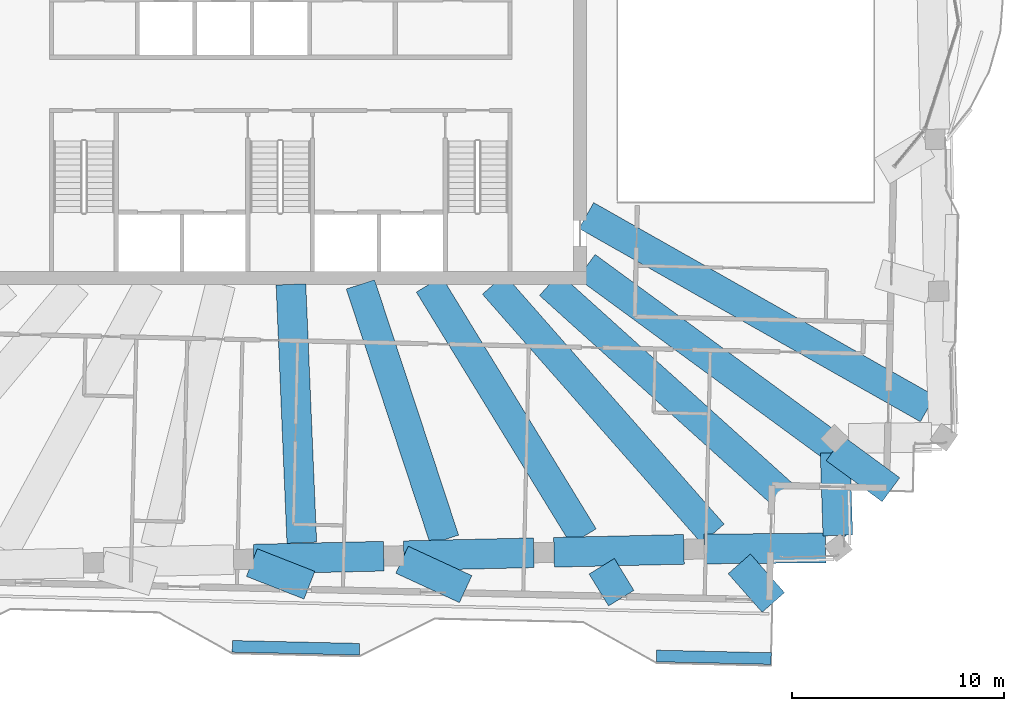
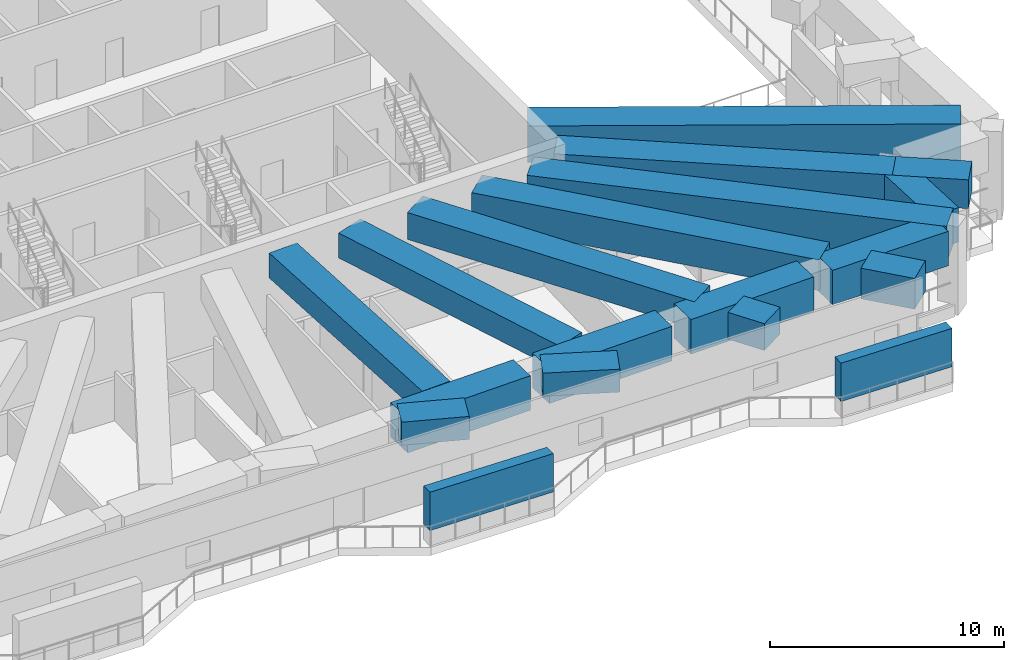
# One storey, part 3 of 20: 17 beams, 2 members.
"""IFC4 building model written with IfcOpenShell, lengths in metres."""

from ifc_helpers import new_model, si_unit, direction, frame, origin, origin_2d, place, context, subcontext, project, spatial, rectangle, extrude, material, material_profile, profile_set, type_object, element, save


model = new_model("IFC4")

# Units and contexts
model_context = context("Model", 3, precision=1e-05, world=origin(), true_north=direction((0.0, 1.0)))
body_context = subcontext(model_context, "Body", "Model", "MODEL_VIEW")
ifc_project = project(units=[si_unit("LENGTHUNIT", "METRE"), si_unit("AREAUNIT", "SQUARE_METRE"), si_unit("VOLUMEUNIT", "CUBIC_METRE"), si_unit("PLANEANGLEUNIT", "RADIAN"), si_unit("MASSUNIT", "GRAM", prefix="KILO")], contexts=[model_context])

# Site, building, storey
site_placement = place(None, origin())
site = spatial("IfcSite", under=ifc_project, at=site_placement, CompositionType="ELEMENT")
building_placement = place(site_placement, origin())
building = spatial("IfcBuilding", under=site, at=building_placement, Name="Mangrove Gate Tower", CompositionType="ELEMENT")
storey_placement = place(building_placement, frame((0.0, 0.0, 301.5)))
storey = spatial("IfcBuildingStorey", under=building, at=storey_placement, Name="L77", CompositionType="ELEMENT", Elevation=301.5)

# Members
ifc_material_1 = material(Name="Planting on aluminium trellis", Category="aluminium")
ifc_material_profile_1 = material_profile(ifc_material_1, rectangle(XDim=0.550048828125, YDim=2.0, at=origin_2d()))
ifc_profile_set_1 = profile_set([ifc_material_profile_1], Name="Planting on aluminium trellis")
member_type = type_object("IfcMemberType", Name="Balcony greenery screen 550x2000", PredefinedType="USERDEFINED", material=ifc_profile_set_1)
member_1_placement = place(storey_placement, frame((-2.282958984375, -28.45703125, 1.800048828125), z_axis=(0.999743094499, -0.022665943652, 0.0), x_axis=(0.022665943652, 0.999743094499, 0.0)))
element("IfcMember", 1, at=member_1_placement, inside=storey, type_object=member_type, Name="GREEN SCREEN L77 S1.1", ObjectType="PLANTING", PredefinedType="USERDEFINED", context=body_context, shape_type="SweptSolid", body=[
    extrude(rectangle(XDim=0.550048828125, YDim=2.0, at=origin_2d()), origin(), (0.0, 0.0, 1.0), 5.99951171875),
])
member_2_placement = place(storey_placement, frame((17.7109375, -28.910888671875, 1.800048828125), z_axis=(0.999744512495, -0.022603312514, 0.0), x_axis=(0.022603312514, 0.999744512495, 0.0)))
element("IfcMember", 2, at=member_2_placement, inside=storey, type_object=member_type, Name="GREEN SCREEN L77 S1.2", ObjectType="PLANTING", PredefinedType="USERDEFINED", context=body_context, shape_type="SweptSolid", body=[
    extrude(rectangle(XDim=0.550048828125, YDim=2.0, at=origin_2d()), origin(), (0.0, 0.0, 1.0), 5.400634765625),
])

# Beams
ifc_material_2 = material(Name="Concrete C50/60", Category="concrete")
ifc_material_profile_2 = material_profile(ifc_material_2, rectangle(XDim=1.39990234375, YDim=1.199951171875, at=origin_2d()))
ifc_profile_set_2 = profile_set([ifc_material_profile_2], Name="Concrete C50/60")
beam_type_1 = type_object("IfcBeamType", Name="Transfer girder RC 1400x1200 C50/60", PredefinedType="BEAM", material=ifc_profile_set_2)
beam_1_placement = place(storey_placement, frame((-1.362548828125, -24.510009765625, 3.449951171875), z_axis=(0.930621137246, -0.365984014558, 0.0), x_axis=(0.365984014558, 0.930621137246, 0.0)))
element("IfcBeam", 3, at=beam_1_placement, inside=storey, type_object=beam_type_1, Name="Transfer edge girder L77 09", PredefinedType="BEAM", context=body_context, shape_type="SweptSolid", body=[
    extrude(rectangle(XDim=1.39990234375, YDim=1.199951171875, at=origin_2d()), origin(), (0.0, 0.0, 1.0), 2.9150390625),
])
beam_2_placement = place(storey_placement, frame((5.714599609375, -24.376953125, 3.449951171875), z_axis=(0.907950728226, -0.419076932214, 0.0), x_axis=(0.419076932214, 0.907950728226, 0.0)))
element("IfcBeam", 4, at=beam_2_placement, inside=storey, type_object=beam_type_1, Name="Transfer edge girder L77 10", PredefinedType="BEAM", context=body_context, shape_type="SweptSolid", body=[
    extrude(rectangle(XDim=1.39990234375, YDim=1.199951171875, at=origin_2d()), origin(), (0.0, 0.0, 1.0), 3.302001953125),
])
ifc_material_3 = material(Name="Concrete C50/60", Category="concrete")
ifc_material_profile_3 = material_profile(ifc_material_3, rectangle(XDim=1.39990234375, YDim=1.300048828125, at=origin_2d()))
ifc_profile_set_3 = profile_set([ifc_material_profile_3], Name="Concrete C50/60")
beam_type_2 = type_object("IfcBeamType", Name="Transfer girder RC 1400x1300 C50/60", PredefinedType="BEAM", material=ifc_profile_set_3)
beam_3_placement = place(storey_placement, frame((0.4794921875, -11.39990234375, 3.39990234375), z_axis=(0.042030519222, -0.999116327288, 0.0), x_axis=(0.999116327288, 0.042030519222, 0.0)))
element("IfcBeam", 5, at=beam_3_placement, inside=storey, type_object=beam_type_2, Name="Transfer girder L77 09", PredefinedType="BEAM", context=body_context, shape_type="SweptSolid", body=[
    extrude(rectangle(XDim=1.39990234375, YDim=1.300048828125, at=origin_2d()), origin(), (0.0, 0.0, 1.0), 12.1865234375),
])
beam_4_placement = place(storey_placement, frame((3.75341796875, -11.39990234375, 3.39990234375), z_axis=(0.312734101263, -0.949840713966, 0.0), x_axis=(0.949840713966, 0.312734101263, 0.0)))
element("IfcBeam", 6, at=beam_4_placement, inside=storey, type_object=beam_type_2, Name="Transfer girder L77 10", PredefinedType="BEAM", context=body_context, shape_type="SweptSolid", body=[
    extrude(rectangle(XDim=1.39990234375, YDim=1.300048828125, at=origin_2d()), origin(), (0.0, 0.0, 1.0), 12.670166015625),
])
ifc_material_4 = material(Name="Concrete C50/60", Category="concrete")
ifc_material_profile_4 = material_profile(ifc_material_4, rectangle(XDim=1.39990234375, YDim=1.39990234375, at=origin_2d()))
ifc_profile_set_4 = profile_set([ifc_material_profile_4], Name="Concrete C50/60")
beam_type_3 = type_object("IfcBeamType", Name="Transfer girder RC 1400x1400 C50/60", PredefinedType="BEAM", material=ifc_profile_set_4)
beam_5_placement = place(storey_placement, frame((6.9853515625, -11.39990234375, 3.35009765625), z_axis=(0.522463481266, -0.852661662527, 0.0), x_axis=(0.852661662527, 0.522463481266, 0.0)))
element("IfcBeam", 7, at=beam_5_placement, inside=storey, type_object=beam_type_3, Name="Transfer girder L77 11", PredefinedType="BEAM", context=body_context, shape_type="SweptSolid", body=[
    extrude(rectangle(XDim=1.39990234375, YDim=1.39990234375, at=origin_2d()), origin(), (0.0, 0.0, 1.0), 13.938720703125),
])
beam_6_placement = place(storey_placement, frame((15.124755859375, -24.683349609375, 3.35009765625), z_axis=(0.522480831613, -0.85265103096, 0.0), x_axis=(0.85265103096, 0.522480831613, 0.0)))
element("IfcBeam", 8, at=beam_6_placement, inside=storey, type_object=beam_type_3, Name="Transfer cantilever girder L77 11", PredefinedType="BEAM", context=body_context, shape_type="SweptSolid", body=[
    extrude(rectangle(XDim=1.39990234375, YDim=1.39990234375, at=origin_2d()), origin(), (0.0, 0.0, 1.0), 1.761962890625),
])
ifc_material_5 = material(Name="Concrete C50/60", Category="concrete")
ifc_material_profile_5 = material_profile(ifc_material_5, rectangle(XDim=1.39990234375, YDim=1.5, at=origin_2d()))
ifc_profile_set_5 = profile_set([ifc_material_profile_5], Name="Concrete C50/60")
beam_type_4 = type_object("IfcBeamType", Name="Transfer girder RC 1400x1500 C50/60", PredefinedType="BEAM", material=ifc_profile_set_5)
beam_7_placement = place(storey_placement, frame((14.39990234375, -10.55419921875, 3.300048828125), z_axis=(0.806560999563, -0.591150872437, 0.0), x_axis=(0.591150872437, 0.806560999563, 0.0)))
element("IfcBeam", 9, at=beam_7_placement, inside=storey, type_object=beam_type_4, Name="Transfer girder L77 14", PredefinedType="BEAM", context=body_context, shape_type="SweptSolid", body=[
    extrude(rectangle(XDim=1.39990234375, YDim=1.5, at=origin_2d()), origin(), (0.0, 0.0, 1.0), 14.525390625),
])
beam_8_placement = place(storey_placement, frame((26.115478515625, -19.140869140625, 3.300048828125), z_axis=(0.80654500052, -0.59117270077, 0.0), x_axis=(0.59117270077, 0.80654500052, 0.0)))
element("IfcBeam", 10, at=beam_8_placement, inside=storey, type_object=beam_type_4, Name="Transfer cantilever girder L77 14", PredefinedType="BEAM", context=body_context, shape_type="SweptSolid", body=[
    extrude(rectangle(XDim=1.39990234375, YDim=1.5, at=origin_2d()), origin(), (0.0, 0.0, 1.0), 3.270263671875),
])
ifc_material_6 = material(Name="Concrete C50/60", Category="concrete")
ifc_material_profile_6 = material_profile(ifc_material_6, rectangle(XDim=1.39990234375, YDim=1.60009765625, at=origin_2d()))
ifc_profile_set_6 = profile_set([ifc_material_profile_6], Name="Concrete C50/60")
beam_type_5 = type_object("IfcBeamType", Name="Transfer girder RC 1400x1600 C50/60", PredefinedType="BEAM", material=ifc_profile_set_6)
beam_9_placement = place(storey_placement, frame((10.02685546875, -11.39990234375, 3.25), z_axis=(0.660431024853, -0.750886716763, 0.0), x_axis=(0.750886716763, 0.660431024853, 0.0)))
element("IfcBeam", 11, at=beam_9_placement, inside=storey, type_object=beam_type_5, Name="Transfer girder L77 12", PredefinedType="BEAM", context=body_context, shape_type="SweptSolid", body=[
    extrude(rectangle(XDim=1.39990234375, YDim=1.60009765625, at=origin_2d()), origin(), (0.0, 0.0, 1.0), 15.656982421875),
])
beam_10_placement = place(storey_placement, frame((21.60888671875, -24.568115234375, 3.25), z_axis=(0.660428033663, -0.750889347609, 0.0), x_axis=(0.750889347609, 0.660428033663, 0.0)))
element("IfcBeam", 12, at=beam_10_placement, inside=storey, type_object=beam_type_5, Name="Transfer cantilever girder L77 12", PredefinedType="BEAM", context=body_context, shape_type="SweptSolid", body=[
    extrude(rectangle(XDim=1.39990234375, YDim=1.60009765625, at=origin_2d()), origin(), (0.0, 0.0, 1.0), 2.423583984375),
])
ifc_material_7 = material(Name="Concrete C50/60", Category="concrete")
ifc_material_profile_7 = material_profile(ifc_material_7, rectangle(XDim=1.39990234375, YDim=1.800048828125, at=origin_2d()))
ifc_profile_set_7 = profile_set([ifc_material_profile_7], Name="Concrete C50/60")
beam_type_6 = type_object("IfcBeamType", Name="Transfer girder RC 1400x1800 C50/60", PredefinedType="BEAM", material=ifc_profile_set_7)
beam_11_placement = place(storey_placement, frame((-1.27392578125, -24.347412109375, 3.14990234375), z_axis=(0.999741032489, 0.02275671236, 0.0), x_axis=(-0.02275671236, 0.999741032489, 0.0)))
element("IfcBeam", 13, at=beam_11_placement, inside=storey, type_object=beam_type_6, Name="Transfer ring girder L77 08", PredefinedType="BEAM", context=body_context, shape_type="SweptSolid", body=[
    extrude(rectangle(XDim=1.39990234375, YDim=1.800048828125, at=origin_2d()), origin(), (0.0, 0.0, 1.0), 6.125732421875),
])
for number, where, z_axis, x_axis, name in (
    (14, (5.800048828125, -24.186279296875, 3.14990234375), (0.999741115026, 0.022753086081, 0.0), (-0.022753086081, 0.999741115026, 0.0), "Transfer ring girder L77 09"),
    (15, (12.875, -24.025390625, 3.14990234375), (0.999744728048, 0.022593776587, 0.0), (-0.022593776587, 0.999744728048, 0.0), "Transfer ring girder L77 10"),
):
    element("IfcBeam", number, at=place(storey_placement, frame(where, z_axis=z_axis, x_axis=x_axis)), inside=storey, type_object=beam_type_6, Name=name, PredefinedType="BEAM", context=body_context, shape_type="SweptSolid", body=[
        extrude(rectangle(XDim=1.39990234375, YDim=1.800048828125, at=origin_2d()), origin(), (0.0, 0.0, 1.0), 6.126708984375),
    ])
beam_12_placement = place(storey_placement, frame((19.9501953125, -23.871826171875, 3.14990234375), z_axis=(0.999957587868, 0.009209911265, 0.0), x_axis=(-0.009209911265, 0.999957587868, 0.0)))
element("IfcBeam", 16, at=beam_12_placement, inside=storey, type_object=beam_type_6, Name="Transfer ring girder L77 11", PredefinedType="BEAM", context=body_context, shape_type="SweptSolid", body=[
    extrude(rectangle(XDim=1.39990234375, YDim=1.800048828125, at=origin_2d()), origin(), (0.0, 0.0, 1.0), 5.725830078125),
])
beam_13_placement = place(storey_placement, frame((26.251708984375, -23.22900390625, 3.14990234375), z_axis=(-0.033277341028, 0.999446155915, 0.0), x_axis=(-0.999446155915, -0.033277341028, 0.0)))
element("IfcBeam", 17, at=beam_13_placement, inside=storey, type_object=beam_type_6, Name="Transfer ring girder L77 12", PredefinedType="BEAM", context=body_context, shape_type="SweptSolid", body=[
    extrude(rectangle(XDim=1.39990234375, YDim=1.800048828125, at=origin_2d()), origin(), (0.0, 0.0, 1.0), 3.903076171875),
])
ifc_material_8 = material(Name="Concrete C50/60", Category="concrete")
ifc_material_profile_8 = material_profile(ifc_material_8, rectangle(XDim=1.39990234375, YDim=1.89990234375, at=origin_2d()))
ifc_profile_set_8 = profile_set([ifc_material_profile_8], Name="Concrete C50/60")
beam_type_7 = type_object("IfcBeamType", Name="Transfer girder RC 1400x1900 C50/60", PredefinedType="BEAM", material=ifc_profile_set_8)
beam_14_placement = place(storey_placement, frame((12.658935546875, -11.39990234375, 3.10009765625), z_axis=(0.743085943005, -0.669195996184, 0.0), x_axis=(0.669195996184, 0.743085943005, 0.0)))
element("IfcBeam", 18, at=beam_14_placement, inside=storey, type_object=beam_type_7, Name="Transfer girder L77 13", PredefinedType="BEAM", context=body_context, shape_type="SweptSolid", body=[
    extrude(rectangle(XDim=1.39990234375, YDim=1.89990234375, at=origin_2d()), origin(), (0.0, 0.0, 1.0), 18.311279296875),
])
beam_15_placement = place(storey_placement, frame((14.39990234375, -8.155029296875, 3.10009765625), z_axis=(0.87015055216, -0.49278597441, 0.0), x_axis=(0.49278597441, 0.87015055216, 0.0)))
element("IfcBeam", 19, at=beam_15_placement, inside=storey, type_object=beam_type_7, Name="Transfer girder L77 15", PredefinedType="BEAM", context=body_context, shape_type="SweptSolid", body=[
    extrude(rectangle(XDim=1.39990234375, YDim=1.89990234375, at=origin_2d()), origin(), (0.0, 0.0, 1.0), 18.487060546875),
])

save(model, "model.ifc")
